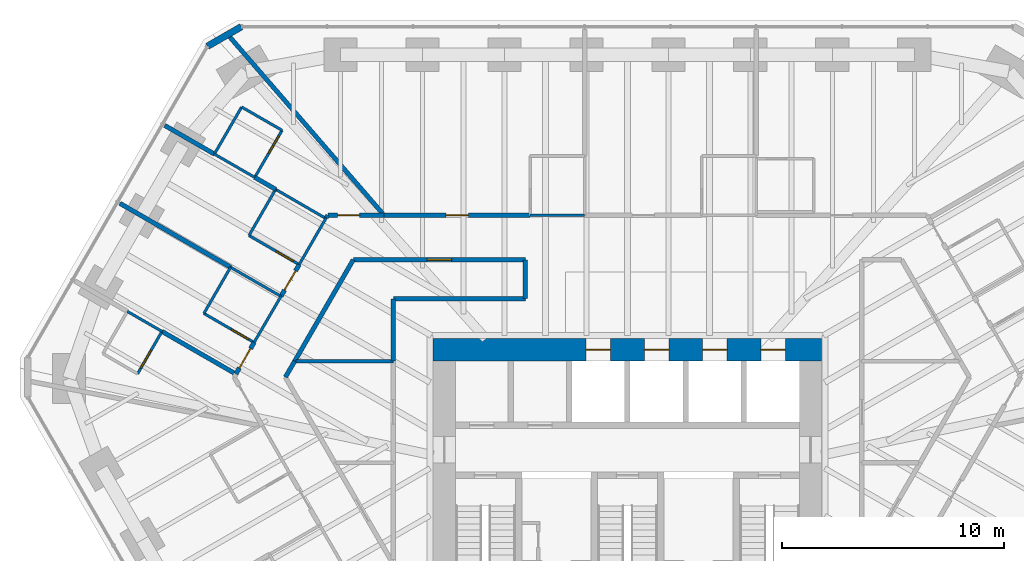
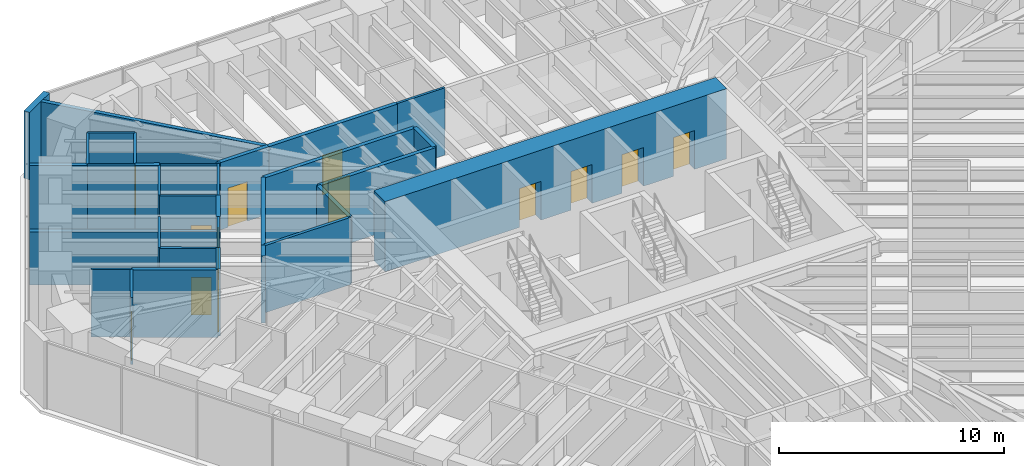
# One storey, part 14 of 17: 34 walls, 13 doors, 13 openings.
"""IFC4 building model written with IfcOpenShell, lengths in metres."""

from ifc_helpers import new_model, si_unit, direction, frame, frame_2d, origin, place, context, subcontext, project, spatial, rectangle, extrude, material, layer, layer_set, type_object, element, fill, save


model = new_model("IFC4")

# Units and contexts
model_context = context("Model", 3, precision=1e-05, world=origin(), true_north=direction((0.0, 1.0)))
body_context = subcontext(model_context, "Body", "Model", "MODEL_VIEW")
ifc_project = project(units=[si_unit("LENGTHUNIT", "METRE"), si_unit("AREAUNIT", "SQUARE_METRE"), si_unit("VOLUMEUNIT", "CUBIC_METRE"), si_unit("PLANEANGLEUNIT", "RADIAN"), si_unit("MASSUNIT", "GRAM", prefix="KILO")], contexts=[model_context])

# Site, building, storey
site_placement = place(None, origin())
site = spatial("IfcSite", under=ifc_project, at=site_placement, CompositionType="ELEMENT")
building_placement = place(site_placement, origin())
building = spatial("IfcBuilding", under=site, at=building_placement, Name="Sandreach Pilgrim Tower", CompositionType="ELEMENT")
storey_placement = place(building_placement, frame((0.0, 0.0, 198.39990234375)))
storey = spatial("IfcBuildingStorey", under=building, at=storey_placement, Name="L49", CompositionType="ELEMENT", Elevation=198.39990234375)

# Walls
ifc_material_1 = material(Name="Gypsum board on steel studs", Category="steel")
ifc_layer_1 = layer(ifc_material_1, 0.14990234375)
ifc_layer_set_1 = layer_set([ifc_layer_1], Name="Back of house wall 150")
wall_type_1 = type_object("IfcWallType", Name="Back of house wall 150", PredefinedType="PARTITIONING", material=ifc_layer_set_1)
wall_1_placement = place(storey_placement, frame((-14.93505859375, 6.090087890625, 0.0), z_axis=(0.0, 0.0, 1.0), x_axis=(1.0, 0.0, 0.0)))
element("IfcWall", 1, at=wall_1_placement, inside=storey, type_object=wall_type_1, Name="Back of house wall L49-037", PredefinedType="PARTITIONING", context=body_context, shape_type="SweptSolid", body=[
    extrude(rectangle(XDim=4.385009765625, YDim=0.14990234375, at=frame_2d((2.1923828125, 0.0))), origin(), (0.0, 0.0, 1.0), 3.64013671875),
])
ifc_material_2 = material(Name="Moisture-resistant gypsum board on steel studs", Category="steel")
ifc_layer_2 = layer(ifc_material_2, 0.1201171875)
ifc_layer_set_2 = layer_set([ifc_layer_2], Name="Bathroom partition 120")
wall_type_2 = type_object("IfcWallType", Name="Bathroom partition 120", PredefinedType="PARTITIONING", material=ifc_layer_set_2)
wall_2_placement = place(storey_placement, frame((-22.530029296875, 8.330078125, 0.0), z_axis=(0.0, 0.0, 1.0), x_axis=(0.866158505053, -0.499769390944, 0.0)))
element("IfcWall", 2, at=wall_2_placement, inside=storey, type_object=wall_type_2, Name="Bathroom partition L49-006", PredefinedType="PARTITIONING", context=body_context, shape_type="SweptSolid", body=[
    extrude(rectangle(XDim=1.801025390625, YDim=0.1201171875, at=frame_2d((0.900390625, 0.0))), origin(), (0.0, 0.0, 1.0), 3.64013671875),
])

# Wall, opening, door
wall_3_placement = place(storey_placement, frame((-22.070068359375, 5.52001953125, 0.0), z_axis=(0.0, 0.0, 1.0), x_axis=(0.499118212815, 0.866533905648, 0.0)))
wall_3 = element("IfcWall", 3, at=wall_3_placement, inside=storey, type_object=wall_type_2, Name="Bathroom partition L49-007", PredefinedType="PARTITIONING", context=body_context, shape_type="SweptSolid", body=[
    extrude(rectangle(XDim=2.2041015625, YDim=0.1201171875, at=frame_2d((1.10205078125, 0.0))), origin(), (0.0, 0.0, 1.0), 3.64013671875),
])
opening_1_placement = place(wall_3_placement, frame((0.300048828125, 0.0, 0.0)))
opening_1 = element("IfcOpeningElement", 4, at=opening_1_placement, cuts=wall_3, Name="Opening D09-17B", PredefinedType="OPENING", context=body_context, shape_type="SweptSolid", body=[
    extrude(rectangle(XDim=0.89990234375, YDim=2.030029296875, at=frame_2d((0.449951171875, 1.01513671875))), frame((0.0, 0.06005859375, 0.0), z_axis=(0.0, -1.0, 0.0), x_axis=(1.0, 0.0, 0.0)), (0.0, 0.0, 1.0), 0.1201171875),
])
ifc_material_3 = material(Name="Timber door, steel frame", Category="steel")
door_type_1 = type_object("IfcDoorType", Name="Bathroom door", OperationType="SINGLE_SWING_LEFT", PredefinedType="DOOR", material=ifc_material_3)
door_1_placement = place(opening_1_placement, origin())
door_1 = element("IfcDoor", 5, at=door_1_placement, inside=storey, type_object=door_type_1, Name="Door 4917B", OperationType="SINGLE_SWING_LEFT", OverallHeight=2.030029296875, OverallWidth=0.89990234375, PredefinedType="DOOR", context=body_context, shape_type="SweptSolid", body=[
    extrude(rectangle(XDim=0.89990234375, YDim=2.030029296875, at=frame_2d((0.449951171875, 1.01513671875))), frame((0.0, 0.02490234375, 0.0), z_axis=(0.0, -1.0, 0.0), x_axis=(1.0, 0.0, 0.0)), (0.0, 0.0, 1.0), 0.050048828125),
])
fill(opening_1, door_1)

wall_4_placement = place(storey_placement, frame((-19.080078125, 8.239990234375, 0.0), z_axis=(0.0, 0.0, 1.0), x_axis=(0.865155281359, -0.50150407689, 0.0)))
wall_4 = element("IfcWall", 6, at=wall_4_placement, inside=storey, type_object=wall_type_2, Name="Bathroom partition L49-011", PredefinedType="PARTITIONING", context=body_context, shape_type="SweptSolid", body=[
    extrude(rectangle(XDim=2.6123046875, YDim=0.1201171875, at=frame_2d((1.30615234375, 0.0))), origin(), (0.0, 0.0, 1.0), 3.64013671875),
])
opening_2_placement = place(wall_4_placement, frame((1.412109375, 0.0, 0.0)))
opening_2 = element("IfcOpeningElement", 7, at=opening_2_placement, cuts=wall_4, Name="Opening D09-18B", PredefinedType="OPENING", context=body_context, shape_type="SweptSolid", body=[
    extrude(rectangle(XDim=0.89990234375, YDim=2.030029296875, at=frame_2d((0.449951171875, 1.01513671875))), frame((0.0, 0.06005859375, 0.0), z_axis=(0.0, -1.0, 0.0), x_axis=(1.0, 0.0, 0.0)), (0.0, 0.0, 1.0), 0.1201171875),
])
door_2_placement = place(opening_2_placement, origin())
door_2 = element("IfcDoor", 8, at=door_2_placement, inside=storey, type_object=door_type_1, Name="Door 4918B", OperationType="SINGLE_SWING_RIGHT", OverallHeight=2.030029296875, OverallWidth=0.89990234375, PredefinedType="DOOR", context=body_context, shape_type="SweptSolid", body=[
    extrude(rectangle(XDim=0.89990234375, YDim=2.030029296875, at=frame_2d((0.449951171875, 1.01513671875))), frame((0.0, 0.02490234375, 0.0), z_axis=(0.0, -1.0, 0.0), x_axis=(1.0, 0.0, 0.0)), (0.0, 0.0, 1.0), 0.050048828125),
])
fill(opening_2, door_2)

# Walls
wall_5_placement = place(storey_placement, frame((-18.610107421875, 15.419921875, 0.0), z_axis=(0.0, 0.0, 1.0), x_axis=(0.86618365172, -0.499725806311, 0.0)))
element("IfcWall", 9, at=wall_5_placement, inside=storey, type_object=wall_type_2, Name="Bathroom partition L49-013", PredefinedType="PARTITIONING", context=body_context, shape_type="SweptSolid", body=[
    extrude(rectangle(XDim=2.101318359375, YDim=0.1201171875, at=frame_2d((1.05078125, 0.0))), origin(), (0.0, 0.0, 1.0), 3.64013671875),
])
wall_6_placement = place(storey_placement, frame((-17.8798828125, 10.320068359375, 0.0), z_axis=(0.0, 0.0, 1.0), x_axis=(-0.499769390944, -0.866158505053, 0.0)))
element("IfcWall", 10, at=wall_6_placement, inside=storey, type_object=wall_type_2, Name="Bathroom partition L49-014", PredefinedType="PARTITIONING", context=body_context, shape_type="SweptSolid", body=[
    extrude(rectangle(XDim=2.401611328125, YDim=0.1201171875, at=frame_2d((1.20068359375, 0.0))), origin(), (0.0, 0.0, 1.0), 3.64013671875),
])
wall_7_placement = place(storey_placement, frame((-17.8798828125, 10.320068359375, 0.0), z_axis=(0.0, 0.0, 1.0), x_axis=(0.866114241029, -0.499846097802, 0.0)))
element("IfcWall", 11, at=wall_7_placement, inside=storey, type_object=wall_type_2, Name="Bathroom partition L49-015", PredefinedType="PARTITIONING", context=body_context, shape_type="SweptSolid", body=[
    extrude(rectangle(XDim=2.620849609375, YDim=0.1201171875, at=frame_2d((1.310546875, 0.0))), origin(), (0.0, 0.0, 1.0), 2.878173828125),
])
wall_8_placement = place(storey_placement, frame((-17.3798828125, 17.5400390625, 0.0), z_axis=(0.0, 0.0, 1.0), x_axis=(-0.501888006485, -0.864932615264, 0.0)))
element("IfcWall", 12, at=wall_8_placement, inside=storey, type_object=wall_type_2, Name="Bathroom partition L49-020", PredefinedType="PARTITIONING", context=body_context, shape_type="SweptSolid", body=[
    extrude(rectangle(XDim=2.451171875, YDim=0.1201171875, at=frame_2d((1.2255859375, 0.0))), origin(), (0.0, 0.0, 1.0), 3.64013671875),
])

# Wall, opening, door
wall_9_placement = place(storey_placement, frame((-17.050048828125, 11.75, 0.0), z_axis=(0.0, 0.0, 1.0), x_axis=(0.865155281359, -0.50150407689, 0.0)))
wall_9 = element("IfcWall", 13, at=wall_9_placement, inside=storey, type_object=wall_type_2, Name="Bathroom partition L49-022", PredefinedType="PARTITIONING", context=body_context, shape_type="SweptSolid", body=[
    extrude(rectangle(XDim=2.6123046875, YDim=0.1201171875, at=frame_2d((1.30615234375, 0.0))), origin(), (0.0, 0.0, 1.0), 3.64013671875),
])
opening_3_placement = place(wall_9_placement, frame((1.412109375, 0.0, 0.0)))
opening_3 = element("IfcOpeningElement", 14, at=opening_3_placement, cuts=wall_9, Name="Opening D09-19B", PredefinedType="OPENING", context=body_context, shape_type="SweptSolid", body=[
    extrude(rectangle(XDim=0.89990234375, YDim=2.030029296875, at=frame_2d((0.449951171875, 1.01513671875))), frame((0.0, 0.06005859375, 0.0), z_axis=(0.0, -1.0, 0.0), x_axis=(1.0, 0.0, 0.0)), (0.0, 0.0, 1.0), 0.1201171875),
])
door_3_placement = place(opening_3_placement, origin())
door_3 = element("IfcDoor", 15, at=door_3_placement, inside=storey, type_object=door_type_1, Name="Door 4919B", OperationType="SINGLE_SWING_RIGHT", OverallHeight=2.030029296875, OverallWidth=0.89990234375, PredefinedType="DOOR", context=body_context, shape_type="SweptSolid", body=[
    extrude(rectangle(XDim=0.89990234375, YDim=2.030029296875, at=frame_2d((0.449951171875, 1.01513671875))), frame((0.0, 0.02490234375, 0.0), z_axis=(0.0, -1.0, 0.0), x_axis=(1.0, 0.0, 0.0)), (0.0, 0.0, 1.0), 0.050048828125),
])
fill(opening_3, door_3)

# Wall
wall_10_placement = place(storey_placement, frame((-16.820068359375, 6.929931640625, 0.0), z_axis=(0.0, 0.0, 1.0), x_axis=(0.502810888564, 0.864396442809, 0.0)))
element("IfcWall", 16, at=wall_10_placement, inside=storey, type_object=wall_type_2, Name="Bathroom partition L49-023", PredefinedType="PARTITIONING", context=body_context, shape_type="SweptSolid", body=[
    extrude(rectangle(XDim=2.406494140625, YDim=0.1201171875, at=frame_2d((1.203125, 0.0))), origin(), (0.0, 0.0, 1.0), 3.64013671875),
])

# Wall, opening, door
wall_11_placement = place(storey_placement, frame((-16.7900390625, 14.3701171875, 0.0), z_axis=(0.0, 0.0, 1.0), x_axis=(0.501856726365, 0.86495076519, 0.0)))
wall_11 = element("IfcWall", 17, at=wall_11_placement, inside=storey, type_object=wall_type_2, Name="Bathroom partition L49-025", PredefinedType="PARTITIONING", context=body_context, shape_type="SweptSolid", body=[
    extrude(rectangle(XDim=2.450927734375, YDim=0.1201171875, at=frame_2d((1.2255859375, 0.0))), origin(), (0.0, 0.0, 1.0), 3.64013671875),
])
opening_4_placement = place(wall_11_placement, frame((1.2509765625, 0.0, 0.0)))
opening_4 = element("IfcOpeningElement", 18, at=opening_4_placement, cuts=wall_11, Name="Opening D09-20B", PredefinedType="OPENING", context=body_context, shape_type="SweptSolid", body=[
    extrude(rectangle(XDim=0.89990234375, YDim=2.030029296875, at=frame_2d((0.449951171875, 1.01513671875))), frame((0.0, 0.06005859375, 0.0), z_axis=(0.0, -1.0, 0.0), x_axis=(1.0, 0.0, 0.0)), (0.0, 0.0, 1.0), 0.1201171875),
])
door_4_placement = place(opening_4_placement, origin())
door_4 = element("IfcDoor", 19, at=door_4_placement, inside=storey, type_object=door_type_1, Name="Door 4920B", OperationType="SINGLE_SWING_RIGHT", OverallHeight=2.030029296875, OverallWidth=0.89990234375, PredefinedType="DOOR", context=body_context, shape_type="SweptSolid", body=[
    extrude(rectangle(XDim=0.89990234375, YDim=2.030029296875, at=frame_2d((0.449951171875, 1.01513671875))), frame((0.0, 0.02490234375, 0.0), z_axis=(0.0, -1.0, 0.0), x_axis=(1.0, 0.0, 0.0)), (0.0, 0.0, 1.0), 0.050048828125),
])
fill(opening_4, door_4)

# Walls
wall_12_placement = place(storey_placement, frame((-15.85009765625, 13.830078125, 0.0), z_axis=(0.0, 0.0, 1.0), x_axis=(-0.499693115345, -0.866202511239, 0.0)))
element("IfcWall", 20, at=wall_12_placement, inside=storey, type_object=wall_type_2, Name="Bathroom partition L49-030", PredefinedType="PARTITIONING", context=body_context, shape_type="SweptSolid", body=[
    extrude(rectangle(XDim=2.4013671875, YDim=0.1201171875, at=frame_2d((1.20068359375, 0.0))), origin(), (0.0, 0.0, 1.0), 3.64013671875),
])
wall_13_placement = place(storey_placement, frame((-15.85009765625, 13.830078125, 0.0), z_axis=(0.0, 0.0, 1.0), x_axis=(0.865155281359, -0.50150407689, 0.0)))
element("IfcWall", 21, at=wall_13_placement, inside=storey, type_object=wall_type_2, Name="Bathroom partition L49-031", PredefinedType="PARTITIONING", context=body_context, shape_type="SweptSolid", body=[
    extrude(rectangle(XDim=2.6123046875, YDim=0.1201171875, at=frame_2d((1.30615234375, 0.0))), origin(), (0.0, 0.0, 1.0), 3.64013671875),
])
wall_14_placement = place(storey_placement, frame((-15.56005859375, 16.489990234375, 0.0), z_axis=(0.0, 0.0, 1.0), x_axis=(-0.86618365172, 0.499725806311, 0.0)))
element("IfcWall", 22, at=wall_14_placement, inside=storey, type_object=wall_type_2, Name="Bathroom partition L49-033", PredefinedType="PARTITIONING", context=body_context, shape_type="SweptSolid", body=[
    extrude(rectangle(XDim=2.101318359375, YDim=0.1201171875, at=frame_2d((1.05078125, 0.0))), origin(), (0.0, 0.0, 1.0), 3.64013671875),
])
wall_15_placement = place(storey_placement, frame((-14.78857421875, 10.439208984375, 0.0), z_axis=(0.0, 0.0, 1.0), x_axis=(0.499942119333, 0.866058818624, 0.0)))
element("IfcWall", 23, at=wall_15_placement, inside=storey, type_object=wall_type_2, Name="Bathroom partition L49-039", PredefinedType="PARTITIONING", context=body_context, shape_type="SweptSolid", body=[
    extrude(rectangle(XDim=2.437255859375, YDim=0.1201171875, at=frame_2d((1.21875, 0.0))), origin(), (0.0, 0.0, 1.0), 3.64013671875),
])
wall_16_placement = place(storey_placement, frame((-1.929931640625, 12.659912109375, 0.0), z_axis=(0.0, 0.0, 1.0), x_axis=(-1.0, 0.0, 0.0)))
element("IfcWall", 24, at=wall_16_placement, inside=storey, type_object=wall_type_2, Name="Bathroom partition L49-076", PredefinedType="PARTITIONING", context=body_context, shape_type="SweptSolid", body=[
    extrude(rectangle(XDim=2.449951171875, YDim=0.1201171875, at=frame_2d((1.22509765625, 0.0))), origin(), (0.0, 0.0, 1.0), 3.64013671875),
])

# Wall, openings, doors
ifc_material_4 = material(Name="Concrete 10000 psi", Category="concrete")
ifc_layer_3 = layer(ifc_material_4, 1.0)
ifc_layer_set_3 = layer_set([ifc_layer_3], Name="Core wall 1000")
wall_type_3 = type_object("IfcWallType", Name="Core wall 1000", PredefinedType="SHEAR", material=ifc_layer_set_3)
wall_17_placement = place(storey_placement, frame((-8.75, 6.60009765625, 0.0), z_axis=(0.0, 0.0, 1.0), x_axis=(1.0, 0.0, 0.0)))
wall_17 = element("IfcWall", 25, at=wall_17_placement, inside=storey, type_object=wall_type_3, Name="Core wall N L49", PredefinedType="SHEAR", context=body_context, shape_type="SweptSolid", body=[
    extrude(rectangle(XDim=17.5, YDim=1.0, at=frame_2d((8.75, 0.0))), origin(), (0.0, 0.0, 1.0), 3.800048828125),
])
opening_5_placement = place(wall_17_placement, frame((6.887451171875, 0.0, 0.0)))
opening_5 = element("IfcOpeningElement", 26, at=opening_5_placement, cuts=wall_17, Name="Opening LD11", PredefinedType="OPENING", context=body_context, shape_type="SweptSolid", body=[
    extrude(rectangle(XDim=1.10009765625, YDim=2.10009765625, at=frame_2d((0.550048828125, 1.050048828125))), frame((0.0, 0.5, 0.0), z_axis=(0.0, -1.0, 0.0), x_axis=(1.0, 0.0, 0.0)), (0.0, 0.0, 1.0), 1.0),
])
opening_6_placement = place(wall_17_placement, frame((9.512451171875, 0.0, 0.0)))
opening_6 = element("IfcOpeningElement", 27, at=opening_6_placement, cuts=wall_17, Name="Opening LD11", PredefinedType="OPENING", context=body_context, shape_type="SweptSolid", body=[
    extrude(rectangle(XDim=1.10009765625, YDim=2.10009765625, at=frame_2d((0.550048828125, 1.050048828125))), frame((0.0, 0.5, 0.0), z_axis=(0.0, -1.0, 0.0), x_axis=(1.0, 0.0, 0.0)), (0.0, 0.0, 1.0), 1.0),
])
opening_7_placement = place(wall_17_placement, frame((12.137451171875, 0.0, 0.0)))
opening_7 = element("IfcOpeningElement", 28, at=opening_7_placement, cuts=wall_17, Name="Opening LD11", PredefinedType="OPENING", context=body_context, shape_type="SweptSolid", body=[
    extrude(rectangle(XDim=1.10009765625, YDim=2.10009765625, at=frame_2d((0.550048828125, 1.050048828125))), frame((0.0, 0.5, 0.0), z_axis=(0.0, -1.0, 0.0), x_axis=(1.0, 0.0, 0.0)), (0.0, 0.0, 1.0), 1.0),
])
opening_8_placement = place(wall_17_placement, frame((14.762451171875, 0.0, 0.0)))
opening_8 = element("IfcOpeningElement", 29, at=opening_8_placement, cuts=wall_17, Name="Opening LD11", PredefinedType="OPENING", context=body_context, shape_type="SweptSolid", body=[
    extrude(rectangle(XDim=1.10009765625, YDim=2.10009765625, at=frame_2d((0.550048828125, 1.050048828125))), frame((0.0, 0.5, 0.0), z_axis=(0.0, -1.0, 0.0), x_axis=(1.0, 0.0, 0.0)), (0.0, 0.0, 1.0), 1.0),
])
ifc_material_5 = material(Name="Steel door and frame", Category="steel")
door_type_2 = type_object("IfcDoorType", Name="Lift landing door", OperationType="DOUBLE_DOOR_SLIDING", PredefinedType="DOOR", material=ifc_material_5)
door_5_placement = place(opening_5_placement, origin())
door_5 = element("IfcDoor", 30, at=door_5_placement, inside=storey, type_object=door_type_2, Name="Lift landing door Z3A L49", OperationType="DOUBLE_DOOR_SLIDING", OverallHeight=2.10009765625, OverallWidth=1.10009765625, PredefinedType="DOOR", context=body_context, shape_type="SweptSolid", body=[
    extrude(rectangle(XDim=1.10009765625, YDim=2.10009765625, at=frame_2d((0.550048828125, 1.050048828125))), frame((0.0, 0.02490234375, 0.0), z_axis=(0.0, -1.0, 0.0), x_axis=(1.0, 0.0, 0.0)), (0.0, 0.0, 1.0), 0.050048828125),
])
fill(opening_5, door_5)
door_6_placement = place(opening_6_placement, origin())
door_6 = element("IfcDoor", 31, at=door_6_placement, inside=storey, type_object=door_type_2, Name="Lift landing door Z3B L49", OperationType="DOUBLE_DOOR_SLIDING", OverallHeight=2.10009765625, OverallWidth=1.10009765625, PredefinedType="DOOR", context=body_context, shape_type="SweptSolid", body=[
    extrude(rectangle(XDim=1.10009765625, YDim=2.10009765625, at=frame_2d((0.550048828125, 1.050048828125))), frame((0.0, 0.02490234375, 0.0), z_axis=(0.0, -1.0, 0.0), x_axis=(1.0, 0.0, 0.0)), (0.0, 0.0, 1.0), 0.050048828125),
])
fill(opening_6, door_6)
door_7_placement = place(opening_7_placement, origin())
door_7 = element("IfcDoor", 32, at=door_7_placement, inside=storey, type_object=door_type_2, Name="Lift landing door Z3C L49", OperationType="DOUBLE_DOOR_SLIDING", OverallHeight=2.10009765625, OverallWidth=1.10009765625, PredefinedType="DOOR", context=body_context, shape_type="SweptSolid", body=[
    extrude(rectangle(XDim=1.10009765625, YDim=2.10009765625, at=frame_2d((0.550048828125, 1.050048828125))), frame((0.0, 0.02490234375, 0.0), z_axis=(0.0, -1.0, 0.0), x_axis=(1.0, 0.0, 0.0)), (0.0, 0.0, 1.0), 0.050048828125),
])
fill(opening_7, door_7)
door_8_placement = place(opening_8_placement, origin())
door_8 = element("IfcDoor", 33, at=door_8_placement, inside=storey, type_object=door_type_2, Name="Lift landing door Z3D L49", OperationType="DOUBLE_DOOR_SLIDING", OverallHeight=2.10009765625, OverallWidth=1.10009765625, PredefinedType="DOOR", context=body_context, shape_type="SweptSolid", body=[
    extrude(rectangle(XDim=1.10009765625, YDim=2.10009765625, at=frame_2d((0.550048828125, 1.050048828125))), frame((0.0, 0.02490234375, 0.0), z_axis=(0.0, -1.0, 0.0), x_axis=(1.0, 0.0, 0.0)), (0.0, 0.0, 1.0), 0.050048828125),
])
fill(opening_8, door_8)

# Wall, opening, door
ifc_material_6 = material(Name="Gypsum board on steel studs, two layers each side", Category="steel")
ifc_layer_4 = layer(ifc_material_6, 0.199951171875)
ifc_layer_set_4 = layer_set([ifc_layer_4], Name="Corridor wall 200")
wall_type_4 = type_object("IfcWallType", Name="Corridor wall 200", PredefinedType="PARTITIONING", material=ifc_layer_set_4)
wall_18_placement = place(storey_placement, frame((-17.639892578125, 5.510009765625, 0.0), z_axis=(0.0, 0.0, 1.0), x_axis=(0.500014611105, 0.866016967894, 0.0)))
wall_18 = element("IfcWall", 34, at=wall_18_placement, inside=storey, type_object=wall_type_4, Name="Corridor wall L49-017", PredefinedType="PARTITIONING", context=body_context, shape_type="SweptSolid", body=[
    extrude(rectangle(XDim=1.6396484375, YDim=0.199951171875, at=frame_2d((0.81982421875, 0.0))), origin(), (0.0, 0.0, 1.0), 3.64013671875),
])
opening_9_placement = place(wall_18_placement, frame((0.31982421875, 0.0, 0.0)))
opening_9 = element("IfcOpeningElement", 35, at=opening_9_placement, cuts=wall_18, Name="Opening D10-18", PredefinedType="OPENING", context=body_context, shape_type="SweptSolid", body=[
    extrude(rectangle(XDim=1.0, YDim=2.1298828125, at=frame_2d((0.5, 1.06494140625))), frame((0.0, 0.10009765625, 0.0), z_axis=(0.0, -1.0, 0.0), x_axis=(1.0, 0.0, 0.0)), (0.0, 0.0, 1.0), 0.199951171875),
])
ifc_material_7 = material(Name="Steel door and frame", Category="steel")
door_type_3 = type_object("IfcDoorType", Name="Guest room entry door", OperationType="SINGLE_SWING_LEFT", PredefinedType="DOOR", material=ifc_material_7)
door_9_placement = place(opening_9_placement, origin())
door_9 = element("IfcDoor", 36, at=door_9_placement, inside=storey, type_object=door_type_3, Name="Door 4918", OperationType="SINGLE_SWING_LEFT", OverallHeight=2.1298828125, OverallWidth=1.0, PredefinedType="DOOR", context=body_context, shape_type="SweptSolid", body=[
    extrude(rectangle(XDim=1.0, YDim=2.1298828125, at=frame_2d((0.5, 1.06494140625))), frame((0.0, 0.02490234375, 0.0), z_axis=(0.0, -1.0, 0.0), x_axis=(1.0, 0.0, 0.0)), (0.0, 0.0, 1.0), 0.050048828125),
])
fill(opening_9, door_9)

wall_19_placement = place(storey_placement, frame((-15.610107421875, 9.010009765625, 0.0), z_axis=(0.0, 0.0, 1.0), x_axis=(0.498354254121, 0.866973492905, 0.0)))
wall_19 = element("IfcWall", 37, at=wall_19_placement, inside=storey, type_object=wall_type_4, Name="Corridor wall L49-032", PredefinedType="PARTITIONING", context=body_context, shape_type="SweptSolid", body=[
    extrude(rectangle(XDim=1.6484375, YDim=0.199951171875, at=frame_2d((0.82421875, 0.0))), origin(), (0.0, 0.0, 1.0), 3.64013671875),
])
opening_10_placement = place(wall_19_placement, frame((0.32421875, 0.0, 0.0)))
opening_10 = element("IfcOpeningElement", 38, at=opening_10_placement, cuts=wall_19, Name="Opening D10-19", PredefinedType="OPENING", context=body_context, shape_type="SweptSolid", body=[
    extrude(rectangle(XDim=1.0, YDim=2.1298828125, at=frame_2d((0.5, 1.06494140625))), frame((0.0, 0.10009765625, 0.0), z_axis=(0.0, -1.0, 0.0), x_axis=(1.0, 0.0, 0.0)), (0.0, 0.0, 1.0), 0.199951171875),
])
door_10_placement = place(opening_10_placement, origin())
door_10 = element("IfcDoor", 39, at=door_10_placement, inside=storey, type_object=door_type_3, Name="Door 4919", OperationType="SINGLE_SWING_LEFT", OverallHeight=2.1298828125, OverallWidth=1.0, PredefinedType="DOOR", context=body_context, shape_type="SweptSolid", body=[
    extrude(rectangle(XDim=1.0, YDim=2.1298828125, at=frame_2d((0.5, 1.06494140625))), frame((0.0, 0.02490234375, 0.0), z_axis=(0.0, -1.0, 0.0), x_axis=(1.0, 0.0, 0.0)), (0.0, 0.0, 1.0), 0.050048828125),
])
fill(opening_10, door_10)

# Walls
wall_20_placement = place(storey_placement, frame((-15.409912109375, 5.3701171875, 0.0), z_axis=(0.0, 0.0, 1.0), x_axis=(0.503943891868, 0.863736391412, 0.0)))
element("IfcWall", 40, at=wall_20_placement, inside=storey, type_object=wall_type_4, Name="Corridor wall L49-034", PredefinedType="PARTITIONING", context=body_context, shape_type="SweptSolid", body=[
    extrude(rectangle(XDim=0.833251953125, YDim=0.199951171875, at=frame_2d((0.41650390625, 0.0))), origin(), (0.0, 0.0, 1.0), 3.64013671875),
])
wall_21_placement = place(storey_placement, frame((-14.989990234375, 6.090087890625, 0.0), z_axis=(0.0, 0.0, 1.0), x_axis=(0.500213626659, 0.86590203124, 0.0)))
element("IfcWall", 41, at=wall_21_placement, inside=storey, type_object=wall_type_4, Name="Corridor wall L49-036", PredefinedType="PARTITIONING", context=body_context, shape_type="SweptSolid", body=[
    extrude(rectangle(XDim=5.277587890625, YDim=0.199951171875, at=frame_2d((2.638671875, 0.0))), origin(), (0.0, 0.0, 1.0), 3.64013671875),
])
wall_22_placement = place(storey_placement, frame((-13.5, 12.659912109375, 0.0), z_axis=(0.0, 0.0, 1.0), x_axis=(-0.537723852201, -0.843121022614, 0.0)))
element("IfcWall", 42, at=wall_22_placement, inside=storey, type_object=wall_type_4, Name="Corridor wall L49-041", PredefinedType="PARTITIONING", context=body_context, shape_type="SweptSolid", body=[
    extrude(rectangle(XDim=0.13037109375, YDim=0.199951171875, at=frame_2d((0.065185546875, 0.0))), origin(), (0.0, 0.0, 1.0), 3.64013671875),
])

# Wall, opening, door
wall_23_placement = place(storey_placement, frame((-12.35009765625, 10.659912109375, 0.0), z_axis=(0.0, 0.0, 1.0), x_axis=(1.0, 0.0, 0.0)))
wall_23 = element("IfcWall", 43, at=wall_23_placement, inside=storey, type_object=wall_type_4, Name="Corridor wall L49-044", PredefinedType="PARTITIONING", context=body_context, shape_type="SweptSolid", body=[
    extrude(rectangle(XDim=7.75, YDim=0.199951171875, at=frame_2d((3.875, 0.0))), origin(), (0.0, 0.0, 1.0), 3.64013671875),
])
opening_11_placement = place(wall_23_placement, frame((3.324951171875, 0.0, 0.0)))
opening_11 = element("IfcOpeningElement", 44, at=opening_11_placement, cuts=wall_23, Name="Opening D11H-M03", PredefinedType="OPENING", context=body_context, shape_type="SweptSolid", body=[
    extrude(rectangle(XDim=1.10009765625, YDim=2.199951171875, at=frame_2d((0.550048828125, 1.10009765625))), frame((0.0, 0.10009765625, 0.0), z_axis=(0.0, -1.0, 0.0), x_axis=(1.0, 0.0, 0.0)), (0.0, 0.0, 1.0), 0.199951171875),
])
ifc_material_8 = material(Name="Steel door and frame", Category="steel")
door_type_4 = type_object("IfcDoorType", Name="Back of house door", OperationType="SINGLE_SWING_LEFT", PredefinedType="DOOR", material=ifc_material_8)
door_11_placement = place(opening_11_placement, origin())
door_11 = element("IfcDoor", 45, at=door_11_placement, inside=storey, type_object=door_type_4, Name="Door 49M03", OperationType="SINGLE_SWING_LEFT", OverallHeight=2.199951171875, OverallWidth=1.10009765625, PredefinedType="DOOR", context=body_context, shape_type="SweptSolid", body=[
    extrude(rectangle(XDim=1.10009765625, YDim=2.199951171875, at=frame_2d((0.550048828125, 1.10009765625))), frame((0.0, 0.02490234375, 0.0), z_axis=(0.0, -1.0, 0.0), x_axis=(1.0, 0.0, 0.0)), (0.0, 0.0, 1.0), 0.050048828125),
])
fill(opening_11, door_11)

wall_24_placement = place(storey_placement, frame((-10.9599609375, 12.659912109375, 0.0), z_axis=(0.0, 0.0, 1.0), x_axis=(-1.0, 0.0, 0.0)))
wall_24 = element("IfcWall", 46, at=wall_24_placement, inside=storey, type_object=wall_type_4, Name="Corridor wall L49-049", PredefinedType="PARTITIONING", context=body_context, shape_type="SweptSolid", body=[
    extrude(rectangle(XDim=2.5400390625, YDim=0.199951171875, at=frame_2d((1.27001953125, 0.0))), origin(), (0.0, 0.0, 1.0), 3.64013671875),
])
opening_12_placement = place(wall_24_placement, frame((1.10009765625, 0.0, 0.0)))
opening_12 = element("IfcOpeningElement", 47, at=opening_12_placement, cuts=wall_24, Name="Opening D10-20", PredefinedType="OPENING", context=body_context, shape_type="SweptSolid", body=[
    extrude(rectangle(XDim=1.0, YDim=2.1298828125, at=frame_2d((0.5, 1.06494140625))), frame((0.0, 0.10009765625, 0.0), z_axis=(0.0, -1.0, 0.0), x_axis=(1.0, 0.0, 0.0)), (0.0, 0.0, 1.0), 0.199951171875),
])
door_12_placement = place(opening_12_placement, origin())
door_12 = element("IfcDoor", 48, at=door_12_placement, inside=storey, type_object=door_type_3, Name="Door 4920", OperationType="SINGLE_SWING_RIGHT", OverallHeight=2.1298828125, OverallWidth=1.0, PredefinedType="DOOR", context=body_context, shape_type="SweptSolid", body=[
    extrude(rectangle(XDim=1.0, YDim=2.1298828125, at=frame_2d((0.5, 1.06494140625))), frame((0.0, 0.02490234375, 0.0), z_axis=(0.0, -1.0, 0.0), x_axis=(1.0, 0.0, 0.0)), (0.0, 0.0, 1.0), 0.050048828125),
])
fill(opening_12, door_12)

# Walls
wall_25_placement = place(storey_placement, frame((-10.550048828125, 8.889892578125, 0.0), z_axis=(0.0, 0.0, 1.0), x_axis=(0.0, -1.0, 0.0)))
element("IfcWall", 49, at=wall_25_placement, inside=storey, type_object=wall_type_4, Name="Corridor wall L49-054", PredefinedType="PARTITIONING", context=body_context, shape_type="SweptSolid", body=[
    extrude(rectangle(XDim=2.7998046875, YDim=0.199951171875, at=frame_2d((1.39990234375, 0.0))), origin(), (0.0, 0.0, 1.0), 3.64013671875),
])
wall_26_placement = place(storey_placement, frame((-4.60009765625, 8.89990234375, 0.0), z_axis=(0.0, 0.0, 1.0), x_axis=(-1.0, 0.0, 0.0)))
element("IfcWall", 50, at=wall_26_placement, inside=storey, type_object=wall_type_4, Name="Corridor wall L49-061", PredefinedType="PARTITIONING", context=body_context, shape_type="SweptSolid", body=[
    extrude(rectangle(XDim=5.949951171875, YDim=0.199951171875, at=frame_2d((2.97509765625, 0.0))), origin(), (0.0, 0.0, 1.0), 3.64013671875),
])
wall_27_placement = place(storey_placement, frame((-4.60009765625, 10.64990234375, 0.0), z_axis=(0.0, 0.0, 1.0), x_axis=(0.0, -1.0, 0.0)))
element("IfcWall", 51, at=wall_27_placement, inside=storey, type_object=wall_type_4, Name="Corridor wall L49-062", PredefinedType="PARTITIONING", context=body_context, shape_type="SweptSolid", body=[
    extrude(rectangle(XDim=1.739990234375, YDim=0.199951171875, at=frame_2d((0.8701171875, 0.0))), origin(), (0.0, 0.0, 1.0), 3.64013671875),
])

# Wall, opening, door
wall_28_placement = place(storey_placement, frame((-4.3798828125, 12.659912109375, 0.0), z_axis=(0.0, 0.0, 1.0), x_axis=(-1.0, 0.0, 0.0)))
wall_28 = element("IfcWall", 52, at=wall_28_placement, inside=storey, type_object=wall_type_4, Name="Corridor wall L49-063", PredefinedType="PARTITIONING", context=body_context, shape_type="SweptSolid", body=[
    extrude(rectangle(XDim=6.580078125, YDim=0.199951171875, at=frame_2d((3.2900390625, 0.0))), origin(), (0.0, 0.0, 1.0), 3.64013671875),
])
opening_13_placement = place(wall_28_placement, frame((2.7900390625, 0.0, 0.0)))
opening_13 = element("IfcOpeningElement", 53, at=opening_13_placement, cuts=wall_28, Name="Opening D10-01", PredefinedType="OPENING", context=body_context, shape_type="SweptSolid", body=[
    extrude(rectangle(XDim=1.0, YDim=2.1298828125, at=frame_2d((0.5, 1.06494140625))), frame((0.0, 0.10009765625, 0.0), z_axis=(0.0, -1.0, 0.0), x_axis=(1.0, 0.0, 0.0)), (0.0, 0.0, 1.0), 0.199951171875),
])
door_13_placement = place(opening_13_placement, origin())
door_13 = element("IfcDoor", 54, at=door_13_placement, inside=storey, type_object=door_type_3, Name="Door 4901", OperationType="SINGLE_SWING_LEFT", OverallHeight=2.1298828125, OverallWidth=1.0, PredefinedType="DOOR", context=body_context, shape_type="SweptSolid", body=[
    extrude(rectangle(XDim=1.0, YDim=2.1298828125, at=frame_2d((0.5, 1.06494140625))), frame((0.0, 0.02490234375, 0.0), z_axis=(0.0, -1.0, 0.0), x_axis=(1.0, 0.0, 0.0)), (0.0, 0.0, 1.0), 0.050048828125),
])
fill(opening_13, door_13)

# Walls
ifc_material_9 = material(Name="Double steel stud acoustic wall, gypsum board", Category="steel")
ifc_layer_5 = layer(ifc_material_9, 0.199951171875)
ifc_layer_set_5 = layer_set([ifc_layer_5], Name="Party wall 200")
wall_type_5 = type_object("IfcWallType", Name="Party wall 200", PredefinedType="PARTITIONING", material=ifc_layer_set_5)
wall_29_placement = place(storey_placement, frame((-22.865966796875, 13.199951171875, 0.0), z_axis=(0.0, 0.0, 1.0), x_axis=(0.865937714159, -0.500151852138, 0.0)))
element("IfcWall", 55, at=wall_29_placement, inside=storey, type_object=wall_type_5, Name="Party wall L49-004", PredefinedType="PARTITIONING", context=body_context, shape_type="SweptSolid", body=[
    extrude(rectangle(XDim=5.758056640625, YDim=0.199951171875, at=frame_2d((2.87890625, 0.0))), origin(), (0.0, 0.0, 1.0), 2.878173828125),
])
wall_30_placement = place(storey_placement, frame((-20.969970703125, 7.429931640625, 0.0), z_axis=(0.0, 0.0, 1.0), x_axis=(0.866325681624, -0.499479542482, 0.0)))
element("IfcWall", 56, at=wall_30_placement, inside=storey, type_object=wall_type_5, Name="Party wall L49-009", PredefinedType="PARTITIONING", context=body_context, shape_type="SweptSolid", body=[
    extrude(rectangle(XDim=3.82861328125, YDim=0.199951171875, at=frame_2d((1.914306640625, 0.0))), origin(), (0.0, 0.0, 1.0), 3.64013671875),
])
wall_31_placement = place(storey_placement, frame((-20.845947265625, 16.7099609375, 0.0), z_axis=(0.0, 0.0, 1.0), x_axis=(0.866163541035, -0.499760662899, 0.0)))
element("IfcWall", 57, at=wall_31_placement, inside=storey, type_object=wall_type_5, Name="Party wall L49-010", PredefinedType="PARTITIONING", context=body_context, shape_type="SweptSolid", body=[
    extrude(rectangle(XDim=2.581298828125, YDim=0.199951171875, at=frame_2d((1.29052734375, 0.0))), origin(), (0.0, 0.0, 1.0), 3.64013671875),
])
wall_32_placement = place(storey_placement, frame((-16.7900390625, 14.3701171875, 0.0), z_axis=(0.0, 0.0, 1.0), x_axis=(0.867132442133, -0.498077632303, 0.0)))
element("IfcWall", 58, at=wall_32_placement, inside=storey, type_object=wall_type_5, Name="Party wall L49-024", PredefinedType="PARTITIONING", context=body_context, shape_type="SweptSolid", body=[
    extrude(rectangle(XDim=1.084228515625, YDim=0.199951171875, at=frame_2d((0.5419921875, 0.0))), origin(), (0.0, 0.0, 1.0), 3.64013671875),
])
wall_33_placement = place(storey_placement, frame((-11.025390625, 12.735595703125, 0.0), z_axis=(0.0, 0.0, 1.0), x_axis=(-0.654431245438, 0.756121514702, 0.0)))
element("IfcWall", 59, at=wall_33_placement, inside=storey, type_object=wall_type_5, Name="Party wall L49-048", PredefinedType="PARTITIONING", context=body_context, shape_type="SweptSolid", body=[
    extrude(rectangle(XDim=10.6884765625, YDim=0.199951171875, at=frame_2d((5.34423828125, 0.0))), origin(), (0.0, 0.0, 1.0), 3.64013671875),
])
ifc_material_10 = material(Name="Terracotta rainscreen on concrete", Category="masonry")
ifc_layer_6 = layer(ifc_material_10, 0.300048828125)
ifc_layer_set_6 = layer_set([ifc_layer_6], Name="Terracotta chamfer pier")
wall_type_6 = type_object("IfcWallType", Name="Terracotta chamfer pier", PredefinedType="SOLIDWALL", material=ifc_layer_set_6)
wall_34_placement = place(storey_placement, frame((-18.9228515625, 20.275146484375, 0.0), z_axis=(0.0, 0.0, 1.0), x_axis=(0.866036293601, 0.499981137809, 0.0)))
element("IfcWall", 60, at=wall_34_placement, inside=storey, type_object=wall_type_6, Name="Chamfer pier L49 NW", PredefinedType="SOLIDWALL", context=body_context, shape_type="SweptSolid", body=[
    extrude(rectangle(XDim=1.77001953125, YDim=0.300048828125, at=frame_2d((0.885009765625, 0.0))), origin(), (0.0, 0.0, 1.0), 3.64013671875),
])

save(model, "model.ifc")
